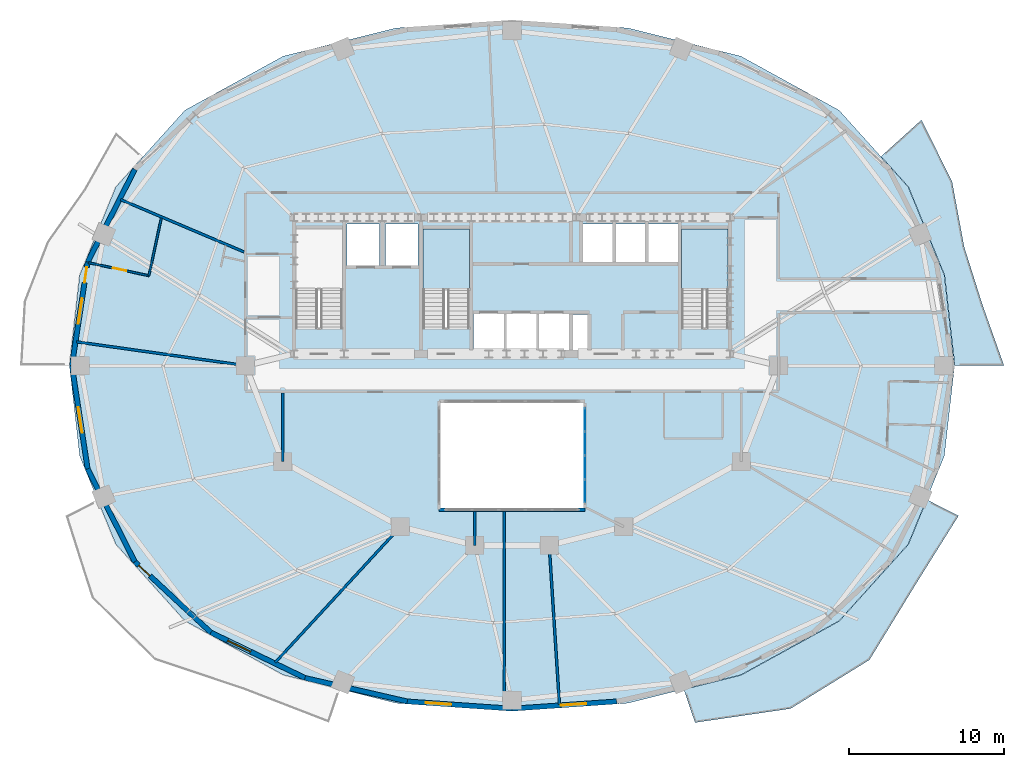
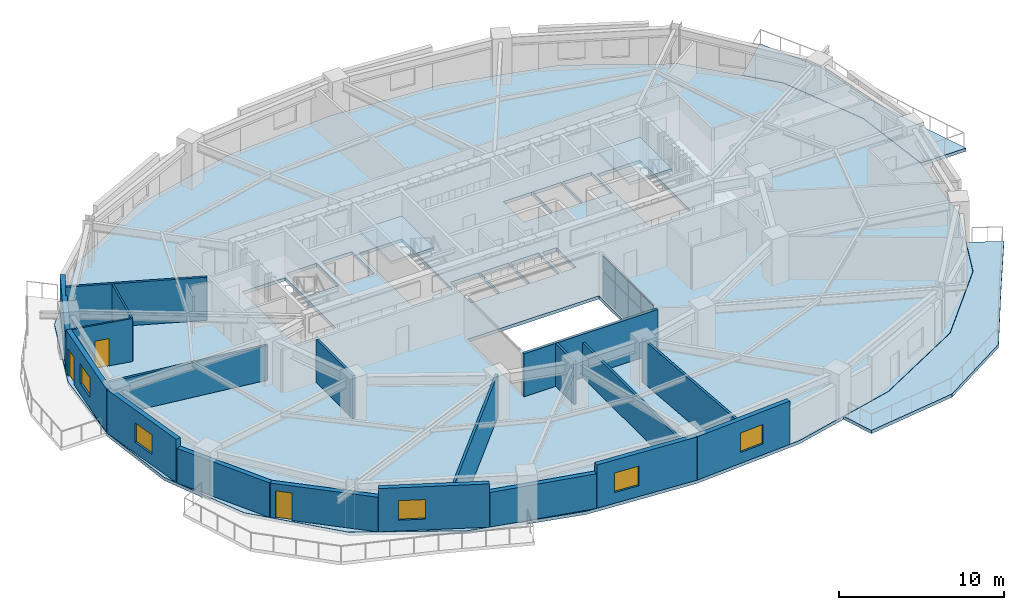
# One storey, part 6 of 13: 19 walls, 8 plates, 5 slabs, 5 windows, 3 doors, 8 openings, 3 elements without a shape of their own.
"""IFC4 building model written with IfcOpenShell, lengths in metres."""

from ifc_helpers import new_model, si_unit, direction, frame, frame_2d, origin, origin_2d, place, context, subcontext, project, spatial, polyline, rectangle, outline, extrude, material, layer, layer_set, type_object, element, fill, aggregate, save


model = new_model("IFC4")

# Units and contexts
model_context = context("Model", 3, precision=1e-05, world=origin(), true_north=direction((0.0, 1.0)))
body_context = subcontext(model_context, "Body", "Model", "MODEL_VIEW")
ifc_project = project(units=[si_unit("LENGTHUNIT", "METRE"), si_unit("AREAUNIT", "SQUARE_METRE"), si_unit("VOLUMEUNIT", "CUBIC_METRE"), si_unit("PLANEANGLEUNIT", "RADIAN"), si_unit("MASSUNIT", "GRAM", prefix="KILO")], contexts=[model_context])

# Site, building, storey
site_placement = place(None, origin())
site = spatial("IfcSite", under=ifc_project, at=site_placement, CompositionType="ELEMENT")
building_placement = place(site_placement, origin())
building = spatial("IfcBuilding", under=site, at=building_placement, Name="Haldorwick Loom Tower", CompositionType="ELEMENT")
storey_placement = place(building_placement, frame((0.0, 0.0, 120.800048828125)))
storey = spatial("IfcBuildingStorey", under=building, at=storey_placement, Name="L32", CompositionType="ELEMENT", Elevation=120.800048828125)

# Curtain wall, plates
ifc_material_1 = material(Name="Thermally Broken Anodized Aluminium Curtain Wall Framing", Category="aluminium")
curtain_wall_type = type_object("IfcCurtainWallType", Name="ARC-CW-03", PredefinedType="NOTDEFINED", material=ifc_material_1)
curtain_wall_placement = place(storey_placement, origin())
curtain_wall = element("IfcCurtainWall", 1, at=curtain_wall_placement, inside=storey, type_object=curtain_wall_type, Name="L32 Atrium Glazed Screen E", PredefinedType="NOTDEFINED")
ifc_material_2 = material(Name="Triple-Glazed Low-E Argon Insulated Glazing Unit", Category="glass")
ifc_layer_1 = layer(ifc_material_2, 0.04296875, Name="Triple-Glazed Low-E Argon Insulated Glazing Unit", Category="glass")
ifc_layer_set_1 = layer_set([ifc_layer_1], Name="Triple-Glazed Low-E Argon Insulated Glazing Unit")
plate_type = type_object("IfcPlateType", Name="ARC-CWP-03", PredefinedType="CURTAIN_PANEL", material=ifc_layer_set_1)
plate_1_placement = place(storey_placement, frame((40.699951171875, 22.508544921875, 0.06591796875), z_axis=(0.0, 0.0, 1.0), x_axis=(0.0, -1.0, 0.0)))
plate_1 = element("IfcPlate", 2, at=plate_1_placement, type_object=plate_type, Name="CW-03 panel 1.1", PredefinedType="CURTAIN_PANEL", context=body_context, shape_type="SweptSolid", body=[
    extrude(rectangle(XDim=1.450927734375, YDim=0.04296875, at=origin_2d()), origin(), (0.0, 0.0, 1.0), 1.90087890625),
])
plate_2_placement = place(storey_placement, frame((40.699951171875, 22.508544921875, 2.03271484375), z_axis=(0.0, 0.0, 1.0), x_axis=(0.0, -1.0, 0.0)))
plate_2 = element("IfcPlate", 3, at=plate_2_placement, type_object=plate_type, Name="CW-03 panel 1.2", PredefinedType="CURTAIN_PANEL", context=body_context, shape_type="SweptSolid", body=[
    extrude(rectangle(XDim=1.450927734375, YDim=0.04296875, at=origin_2d()), origin(), (0.0, 0.0, 1.0), 1.111083984375),
])
plate_3_placement = place(storey_placement, frame((40.699951171875, 20.97509765625, 0.06591796875), z_axis=(0.0, 0.0, 1.0), x_axis=(0.0, -1.0, 0.0)))
plate_3 = element("IfcPlate", 4, at=plate_3_placement, type_object=plate_type, Name="CW-03 panel 2.1", PredefinedType="CURTAIN_PANEL", context=body_context, shape_type="SweptSolid", body=[
    extrude(rectangle(XDim=1.48388671875, YDim=0.04296875, at=origin_2d()), origin(), (0.0, 0.0, 1.0), 1.90087890625),
])
plate_4_placement = place(storey_placement, frame((40.699951171875, 20.97509765625, 2.03271484375), z_axis=(0.0, 0.0, 1.0), x_axis=(0.0, -1.0, 0.0)))
plate_4 = element("IfcPlate", 5, at=plate_4_placement, type_object=plate_type, Name="CW-03 panel 2.2", PredefinedType="CURTAIN_PANEL", context=body_context, shape_type="SweptSolid", body=[
    extrude(rectangle(XDim=1.48388671875, YDim=0.04296875, at=origin_2d()), origin(), (0.0, 0.0, 1.0), 1.111083984375),
])
plate_5_placement = place(storey_placement, frame((40.699951171875, 19.425048828125, 0.06591796875), z_axis=(0.0, 0.0, 1.0), x_axis=(0.0, -1.0, 0.0)))
plate_5 = element("IfcPlate", 6, at=plate_5_placement, type_object=plate_type, Name="CW-03 panel 3.1", PredefinedType="CURTAIN_PANEL", context=body_context, shape_type="SweptSolid", body=[
    extrude(rectangle(XDim=1.48388671875, YDim=0.04296875, at=origin_2d()), origin(), (0.0, 0.0, 1.0), 1.90087890625),
])
plate_6_placement = place(storey_placement, frame((40.699951171875, 19.425048828125, 2.03271484375), z_axis=(0.0, 0.0, 1.0), x_axis=(0.0, -1.0, 0.0)))
plate_6 = element("IfcPlate", 7, at=plate_6_placement, type_object=plate_type, Name="CW-03 panel 3.2", PredefinedType="CURTAIN_PANEL", context=body_context, shape_type="SweptSolid", body=[
    extrude(rectangle(XDim=1.48388671875, YDim=0.04296875, at=origin_2d()), origin(), (0.0, 0.0, 1.0), 1.111083984375),
])
plate_7_placement = place(storey_placement, frame((40.699951171875, 17.8916015625, 0.06591796875), z_axis=(0.0, 0.0, 1.0), x_axis=(0.0, -1.0, 0.0)))
plate_7 = element("IfcPlate", 8, at=plate_7_placement, type_object=plate_type, Name="CW-03 panel 4.1", PredefinedType="CURTAIN_PANEL", context=body_context, shape_type="SweptSolid", body=[
    extrude(rectangle(XDim=1.450927734375, YDim=0.04296875, at=origin_2d()), origin(), (0.0, 0.0, 1.0), 1.90087890625),
])
plate_8_placement = place(storey_placement, frame((40.699951171875, 17.8916015625, 2.03271484375), z_axis=(0.0, 0.0, 1.0), x_axis=(0.0, -1.0, 0.0)))
plate_8 = element("IfcPlate", 9, at=plate_8_placement, type_object=plate_type, Name="CW-03 panel 4.2", PredefinedType="CURTAIN_PANEL", context=body_context, shape_type="SweptSolid", body=[
    extrude(rectangle(XDim=1.450927734375, YDim=0.04296875, at=origin_2d()), origin(), (0.0, 0.0, 1.0), 1.111083984375),
])
aggregate(curtain_wall, [plate_1, plate_2, plate_3, plate_4, plate_5, plate_6, plate_7, plate_8])

# Slabs
ifc_material_3 = material(Name="Concrete C40 (40 MPa)", Category="concrete")
ifc_layer_2 = layer(ifc_material_3, 0.239990234375, Name="Concrete C40 (40 MPa)", Category="concrete")
ifc_layer_set_2 = layer_set([ifc_layer_2], Name="Concrete C40 (40 MPa)")
slab_type_1 = type_object("IfcSlabType", Name="STR-SLB-BAL240", PredefinedType="FLOOR", material=ifc_layer_set_2)
slab_1_placement = place(storey_placement, frame((0.0, 0.0, -0.239990234375)))
element("IfcSlab", 10, at=slab_1_placement, inside=storey, type_object=slab_type_1, Name="L32 Sinusoidal Balcony Terrace BAL_SE", PredefinedType="FLOOR", context=body_context, shape_type="SweptSolid", body=[
    extrude(outline(polyline([(62.7587890625, 17.34912109375), (61.580078125, 14.468994140625), (61.579345703125, 14.4677734375), (61.578857421875, 14.466552734375), (61.578125, 14.465576171875), (61.5771484375, 14.464599609375), (57.11279296875, 9.51318359375), (57.11181640625, 9.51220703125), (57.1103515625, 9.510986328125), (57.10888671875, 9.51025390625), (50.767822265625, 6.0244140625), (50.7666015625, 6.023681640625), (50.765380859375, 6.023193359375), (50.76416015625, 6.022705078125), (47.08740234375, 5.105224609375), (47.81201171875, 2.964599609375), (53.978271484375, 3.8662109375), (59.06396484375, 7.01025390625), (62.07080078125, 11.92578125), (64.807373046875, 16.303955078125), (62.7587890625, 17.34912109375)])), origin(), (0.0, 0.0, 1.0), 0.239990234375),
])
slab_2_placement = place(storey_placement, frame((0.0, 0.0, -0.239990234375)))
element("IfcSlab", 11, at=slab_2_placement, inside=storey, type_object=slab_type_1, Name="L32 Sinusoidal Balcony Terrace BAL_ENE", PredefinedType="FLOOR", context=body_context, shape_type="SweptSolid", body=[
    extrude(outline(polyline([(59.81298828125, 39.491943359375), (61.5771484375, 37.535400390625), (61.578125, 37.534423828125), (61.578857421875, 37.533447265625), (61.579345703125, 37.5322265625), (61.580078125, 37.531005859375), (63.90869140625, 31.841796875), (63.9091796875, 31.840576171875), (63.909423828125, 31.83935546875), (63.90966796875, 31.837890625), (64.572509765625, 26.001708984375), (64.572509765625, 26.0), (67.74609375, 26.0), (66.357421875, 29.9150390625), (65.176025390625, 33.660888671875), (64.396728515625, 37.858642578125), (62.423095703125, 41.85400390625), (59.81298828125, 39.491943359375)])), origin(), (0.0, 0.0, 1.0), 0.239990234375),
])

# Stair, slab
stair_type = type_object("IfcStairType", Name="STR-STR-CORE", PredefinedType="HALF_TURN_STAIR", material=ifc_material_3)
stair_1_placement = place(storey_placement, origin())
stair_1 = element("IfcStair", 12, at=stair_1_placement, inside=storey, type_object=stair_type, Name="L32 Exit Stair ST-02", PredefinedType="HALF_TURN_STAIR")
ifc_layer_3 = layer(ifc_material_3, 0.199951171875, Name="Concrete C40 (40 MPa)", Category="concrete")
ifc_layer_set_3 = layer_set([ifc_layer_3], Name="Concrete C40 (40 MPa)")
slab_type_2 = type_object("IfcSlabType", Name="STR-SLB-LAND200", PredefinedType="LANDING", material=ifc_layer_set_3)
slab_3_placement = place(storey_placement, frame((0.0, 0.0, 1.52490234375)))
slab_3 = element("IfcSlab", 13, at=slab_3_placement, type_object=slab_type_2, Name="ST-02 landing 1", PredefinedType="LANDING", context=body_context, shape_type="SweptSolid", body=[
    extrude(outline(polyline([(49.949951171875, 30.919921875), (49.949951171875, 34.800048828125), (46.949951171875, 34.800048828125), (46.949951171875, 30.919921875), (49.949951171875, 30.919921875)])), origin(), (0.0, 0.0, 1.0), 0.199951171875),
])
aggregate(stair_1, [slab_3])

stair_2_placement = place(storey_placement, origin())
stair_2 = element("IfcStair", 14, at=stair_2_placement, inside=storey, type_object=stair_type, Name="L32 Exit Stair ST-03", PredefinedType="HALF_TURN_STAIR")
slab_4_placement = place(storey_placement, frame((0.0, 0.0, 1.52490234375)))
slab_4 = element("IfcSlab", 15, at=slab_4_placement, type_object=slab_type_2, Name="ST-03 landing 1", PredefinedType="LANDING", context=body_context, shape_type="SweptSolid", body=[
    extrude(outline(polyline([(33.25, 30.919921875), (33.25, 34.800048828125), (30.25, 34.800048828125), (30.25, 30.919921875), (33.25, 30.919921875)])), origin(), (0.0, 0.0, 1.0), 0.199951171875),
])
aggregate(stair_2, [slab_4])

# Slab
ifc_layer_4 = layer(ifc_material_3, 0.239990234375, Name="Concrete C40 (40 MPa)", Category="concrete")
ifc_layer_set_4 = layer_set([ifc_layer_4], Name="Concrete C40 (40 MPa)")
slab_type_3 = type_object("IfcSlabType", Name="STR-SLB-RES240", PredefinedType="FLOOR", material=ifc_layer_set_4)
slab_5_placement = place(storey_placement, frame((0.0, 0.0, -0.239990234375)))
element("IfcSlab", 16, at=slab_5_placement, inside=storey, type_object=slab_type_3, Name="L32 Residential Structural Floor Slab", PredefinedType="FLOOR", context=body_context, shape_type="SweptSolid", body=[
    extrude(outline(polyline([(57.101806640625, 9.523193359375), (61.566162109375, 14.474609375), (63.894775390625, 20.163818359375), (64.5576171875, 26.0), (63.894775390625, 31.836181640625), (61.566162109375, 37.525390625), (57.101806640625, 42.476806640625), (50.760498046875, 45.962646484375), (43.474365234375, 47.781005859375), (36.0, 48.29833984375), (28.525634765625, 47.781005859375), (21.239501953125, 45.962646484375), (14.898193359375, 42.476806640625), (10.433837890625, 37.525390625), (8.105224609375, 31.836181640625), (7.4423828125, 26.0), (8.105224609375, 20.163818359375), (10.433837890625, 14.474609375), (14.898193359375, 9.523193359375), (21.239501953125, 6.037353515625), (28.525634765625, 4.218994140625), (36.0, 3.70166015625), (43.474365234375, 4.218994140625), (50.760498046875, 6.037353515625), (57.101806640625, 9.523193359375)]), holes=[polyline([(31.39990234375, 16.800048828125), (31.39990234375, 23.60009765625), (40.60009765625, 23.60009765625), (40.60009765625, 16.800048828125), (31.39990234375, 16.800048828125)]), polyline([(33.5, 26.85009765625), (33.5, 29.35009765625), (35.5, 29.35009765625), (35.5, 26.85009765625), (33.5, 26.85009765625)]), polyline([(35.60009765625, 26.85009765625), (35.60009765625, 29.35009765625), (37.60009765625, 29.35009765625), (37.60009765625, 26.85009765625), (35.60009765625, 26.85009765625)]), polyline([(23.6201171875, 28.39990234375), (22.050048828125, 28.39990234375), (22.050048828125, 34.800048828125), (25.050048828125, 34.800048828125), (25.050048828125, 28.639892578125), (23.6201171875, 28.639892578125), (23.6201171875, 28.39990234375)]), polyline([(30.25, 28.39990234375), (30.25, 34.800048828125), (33.25, 34.800048828125), (33.25, 28.639892578125), (31.820068359375, 28.639892578125), (31.820068359375, 28.39990234375), (30.25, 28.39990234375)]), polyline([(25.35009765625, 32.449951171875), (25.35009765625, 35.14990234375), (27.449951171875, 35.14990234375), (27.449951171875, 32.449951171875), (25.35009765625, 32.449951171875)]), polyline([(29.949951171875, 32.449951171875), (27.85009765625, 32.449951171875), (27.85009765625, 35.14990234375), (29.949951171875, 35.14990234375), (29.949951171875, 32.449951171875)]), polyline([(37.699951171875, 26.85009765625), (37.699951171875, 29.35009765625), (39.699951171875, 29.35009765625), (39.699951171875, 26.85009765625), (37.699951171875, 26.85009765625)]), polyline([(39.89990234375, 26.89990234375), (39.89990234375, 29.300048828125), (40.89990234375, 29.300048828125), (40.89990234375, 26.89990234375), (39.89990234375, 26.89990234375)]), polyline([(46.949951171875, 28.39990234375), (46.949951171875, 34.800048828125), (49.949951171875, 34.800048828125), (49.949951171875, 28.639892578125), (48.52001953125, 28.639892578125), (48.52001953125, 28.39990234375), (46.949951171875, 28.39990234375)]), polyline([(40.550048828125, 32.64990234375), (40.550048828125, 35.14990234375), (42.550048828125, 35.14990234375), (42.550048828125, 32.64990234375), (40.550048828125, 32.64990234375)]), polyline([(42.64990234375, 32.64990234375), (42.64990234375, 35.14990234375), (44.64990234375, 35.14990234375), (44.64990234375, 32.64990234375), (42.64990234375, 32.64990234375)]), polyline([(44.75, 32.64990234375), (44.75, 35.14990234375), (46.75, 35.14990234375), (46.75, 32.64990234375), (44.75, 32.64990234375)])]), origin(), (0.0, 0.0, 1.0), 0.239990234375),
])

# Wall
ifc_material_4 = material(Name="Pressed Clay Face Brick and Insulated Masonry Backup Assembly", Category="masonry")
ifc_layer_5 = layer(ifc_material_4, 0.320068359375, Name="Pressed Clay Face Brick and Insulated Masonry Backup Assembly", Category="masonry")
ifc_layer_set_5 = layer_set([ifc_layer_5], Name="Pressed Clay Face Brick and Insulated Masonry Backup Assembly")
wall_type_1 = type_object("IfcWallType", Name="ARC-WL-EXT320", PredefinedType="STANDARD", material=ifc_layer_set_5)
wall_1_placement = place(storey_placement, frame((11.661376953125, 38.655517578125, 0.0), z_axis=(0.0, 0.0, 1.0), x_axis=(-0.453374078001, -0.89132033826, 0.0)))
element("IfcWall", 17, at=wall_1_placement, inside=storey, type_object=wall_type_1, Name="L32 Brick Pier and Spandrel Wall 11", PredefinedType="STANDARD", context=body_context, shape_type="SweptSolid", body=[
    extrude(rectangle(XDim=6.709716796875, YDim=0.320068359375, at=frame_2d((3.35498046875, 0.0))), origin(), (0.0, 0.0, 1.0), 2.56884765625),
])

# Wall, openings, door, window
wall_2_placement = place(storey_placement, frame((8.619384765625, 32.675048828125, 0.0), z_axis=(0.0, 0.0, 1.0), x_axis=(-0.150633288003, -0.988589708901, 0.0)))
wall_2 = element("IfcWall", 18, at=wall_2_placement, inside=storey, type_object=wall_type_1, Name="L32 Brick Pier and Spandrel Wall 12", PredefinedType="STANDARD", context=body_context, shape_type="SweptSolid", body=[
    extrude(rectangle(XDim=6.752197265625, YDim=0.320068359375, at=frame_2d((3.3759765625, 0.0))), origin(), (0.0, 0.0, 1.0), 3.2099609375),
])
opening_1_placement = place(wall_2_placement, frame((0.340087890625, 0.0, 0.0)))
opening_1 = element("IfcOpeningElement", 19, at=opening_1_placement, cuts=wall_2, Name="Opening D-BL10", PredefinedType="OPENING", context=body_context, shape_type="SweptSolid", body=[
    extrude(rectangle(XDim=1.0, YDim=2.0400390625, at=frame_2d((0.5, 1.02001953125))), frame((0.0, 0.169921875, 0.0), z_axis=(0.0, -1.0, 0.0), x_axis=(1.0, 0.0, 0.0)), (0.0, 0.0, 1.0), 0.340087890625),
])
opening_2_placement = place(wall_2_placement, frame((2.371826171875, 0.0, 0.800048828125)))
opening_2 = element("IfcOpeningElement", 20, at=opening_2_placement, cuts=wall_2, Name="Opening W-01B", PredefinedType="OPENING", context=body_context, shape_type="SweptSolid", body=[
    extrude(rectangle(XDim=1.64990234375, YDim=1.449951171875, at=frame_2d((0.824951171875, 0.72509765625))), frame((0.0, 0.169921875, 0.0), z_axis=(0.0, -1.0, 0.0), x_axis=(1.0, 0.0, 0.0)), (0.0, 0.0, 1.0), 0.340087890625),
])
door_type_1 = type_object("IfcDoorType", Name="ARC-DR-BAL100", OperationType="NOTDEFINED", PredefinedType="DOOR", material=ifc_material_1)
door_1_placement = place(opening_1_placement, origin())
door_1 = element("IfcDoor", 21, at=door_1_placement, inside=storey, type_object=door_type_1, Name="L32 Outdoor Terrace Door SLB-L32-BAL_WNW", OperationType="SINGLE_SWING_RIGHT", OverallHeight=2.0400390625, OverallWidth=1.0, PredefinedType="DOOR", context=body_context, shape_type="SweptSolid", body=[
    extrude(rectangle(XDim=1.0, YDim=2.0400390625, at=frame_2d((0.5, 1.02001953125))), frame((0.0, 0.02490234375, 0.0), z_axis=(0.0, -1.0, 0.0), x_axis=(1.0, 0.0, 0.0)), (0.0, 0.0, 1.0), 0.050048828125),
])
fill(opening_1, door_1)
window_type = type_object("IfcWindowType", Name="ARC-WIN-W165", PartitioningType="SINGLE_PANEL", PredefinedType="WINDOW", material=ifc_material_2)
window_1_placement = place(opening_2_placement, origin())
window_1 = element("IfcWindow", 22, at=window_1_placement, inside=storey, type_object=window_type, Name="L32 Deep-Set Zone 7A Window 12", OverallHeight=1.449951171875, OverallWidth=1.64990234375, PartitioningType="SINGLE_PANEL", PredefinedType="WINDOW", context=body_context, shape_type="SweptSolid", body=[
    extrude(rectangle(XDim=1.64990234375, YDim=1.449951171875, at=frame_2d((0.824951171875, 0.72509765625))), frame((0.0, 0.030029296875, 0.0), z_axis=(0.0, -1.0, 0.0), x_axis=(1.0, 0.0, 0.0)), (0.0, 0.0, 1.0), 0.06005859375),
])
fill(opening_2, window_1)

# Wall, opening, window
wall_3_placement = place(storey_placement, frame((7.602294921875, 26.0, 0.0), z_axis=(0.0, 0.0, 1.0), x_axis=(0.150633288003, -0.988589708901, 0.0)))
wall_3 = element("IfcWall", 23, at=wall_3_placement, inside=storey, type_object=wall_type_1, Name="L32 Brick Pier and Spandrel Wall 13", PredefinedType="STANDARD", context=body_context, shape_type="SweptSolid", body=[
    extrude(rectangle(XDim=6.752197265625, YDim=0.320068359375, at=frame_2d((3.3759765625, 0.0))), origin(), (0.0, 0.0, 1.0), 3.2099609375),
])
opening_3_placement = place(wall_3_placement, frame((2.730224609375, 0.0, 0.800048828125)))
opening_3 = element("IfcOpeningElement", 24, at=opening_3_placement, cuts=wall_3, Name="Opening W-01B", PredefinedType="OPENING", context=body_context, shape_type="SweptSolid", body=[
    extrude(rectangle(XDim=1.64990234375, YDim=1.449951171875, at=frame_2d((0.824951171875, 0.72509765625))), frame((0.0, 0.169921875, 0.0), z_axis=(0.0, -1.0, 0.0), x_axis=(1.0, 0.0, 0.0)), (0.0, 0.0, 1.0), 0.340087890625),
])
window_2_placement = place(opening_3_placement, origin())
window_2 = element("IfcWindow", 25, at=window_2_placement, inside=storey, type_object=window_type, Name="L32 Deep-Set Zone 7A Window 13", OverallHeight=1.449951171875, OverallWidth=1.64990234375, PartitioningType="SINGLE_PANEL", PredefinedType="WINDOW", context=body_context, shape_type="SweptSolid", body=[
    extrude(rectangle(XDim=1.64990234375, YDim=1.449951171875, at=frame_2d((0.824951171875, 0.72509765625))), frame((0.0, 0.030029296875, 0.0), z_axis=(0.0, -1.0, 0.0), x_axis=(1.0, 0.0, 0.0)), (0.0, 0.0, 1.0), 0.06005859375),
])
fill(opening_3, window_2)

# Wall
wall_4_placement = place(storey_placement, frame((8.619384765625, 19.324951171875, 0.0), z_axis=(0.0, 0.0, 1.0), x_axis=(0.453374078001, -0.89132033826, 0.0)))
element("IfcWall", 26, at=wall_4_placement, inside=storey, type_object=wall_type_1, Name="L32 Brick Pier and Spandrel Wall 14", PredefinedType="STANDARD", context=body_context, shape_type="SweptSolid", body=[
    extrude(rectangle(XDim=6.709716796875, YDim=0.320068359375, at=frame_2d((3.35498046875, 0.0))), origin(), (0.0, 0.0, 1.0), 2.56884765625),
])

# Wall, opening, door
wall_5_placement = place(storey_placement, frame((11.661376953125, 13.344482421875, 0.0), z_axis=(0.0, 0.0, 1.0), x_axis=(0.732137360086, -0.681157020052, 0.0)))
wall_5 = element("IfcWall", 27, at=wall_5_placement, inside=storey, type_object=wall_type_1, Name="L32 Brick Pier and Spandrel Wall 15", PredefinedType="STANDARD", context=body_context, shape_type="SweptSolid", body=[
    extrude(rectangle(XDim=6.709228515625, YDim=0.320068359375, at=frame_2d((3.3544921875, 0.0))), origin(), (0.0, 0.0, 1.0), 2.56884765625),
])
opening_4_placement = place(wall_5_placement, frame((0.340087890625, 0.0, 0.0)))
opening_4 = element("IfcOpeningElement", 28, at=opening_4_placement, cuts=wall_5, Name="Opening D-BL10", PredefinedType="OPENING", context=body_context, shape_type="SweptSolid", body=[
    extrude(rectangle(XDim=1.0, YDim=2.0400390625, at=frame_2d((0.5, 1.02001953125))), frame((0.0, 0.169921875, 0.0), z_axis=(0.0, -1.0, 0.0), x_axis=(1.0, 0.0, 0.0)), (0.0, 0.0, 1.0), 0.340087890625),
])
door_2_placement = place(opening_4_placement, origin())
door_2 = element("IfcDoor", 29, at=door_2_placement, inside=storey, type_object=door_type_1, Name="L32 Outdoor Terrace Door SLB-L32-BAL_SW", OperationType="SINGLE_SWING_LEFT", OverallHeight=2.0400390625, OverallWidth=1.0, PredefinedType="DOOR", context=body_context, shape_type="SweptSolid", body=[
    extrude(rectangle(XDim=1.0, YDim=2.0400390625, at=frame_2d((0.5, 1.02001953125))), frame((0.0, 0.02490234375, 0.0), z_axis=(0.0, -1.0, 0.0), x_axis=(1.0, 0.0, 0.0)), (0.0, 0.0, 1.0), 0.050048828125),
])
fill(opening_4, door_2)

# Wall, opening, window
wall_6_placement = place(storey_placement, frame((16.573486328125, 8.7744140625, 0.0), z_axis=(0.0, 0.0, 1.0), x_axis=(0.900510094661, -0.434835106004, 0.0)))
wall_6 = element("IfcWall", 30, at=wall_6_placement, inside=storey, type_object=wall_type_1, Name="L32 Brick Pier and Spandrel Wall 16", PredefinedType="STANDARD", context=body_context, shape_type="SweptSolid", body=[
    extrude(rectangle(XDim=6.744873046875, YDim=0.320068359375, at=frame_2d((3.37255859375, 0.0))), origin(), (0.0, 0.0, 1.0), 3.2099609375),
])
opening_5_placement = place(wall_6_placement, frame((1.198486328125, 0.0, 0.800048828125)))
opening_5 = element("IfcOpeningElement", 31, at=opening_5_placement, cuts=wall_6, Name="Opening W-01B", PredefinedType="OPENING", context=body_context, shape_type="SweptSolid", body=[
    extrude(rectangle(XDim=1.64990234375, YDim=1.449951171875, at=frame_2d((0.824951171875, 0.72509765625))), frame((0.0, 0.169921875, 0.0), z_axis=(0.0, -1.0, 0.0), x_axis=(1.0, 0.0, 0.0)), (0.0, 0.0, 1.0), 0.340087890625),
])
window_3_placement = place(opening_5_placement, origin())
window_3 = element("IfcWindow", 32, at=window_3_placement, inside=storey, type_object=window_type, Name="L32 Deep-Set Zone 7A Window 16", OverallHeight=1.449951171875, OverallWidth=1.64990234375, PartitioningType="SINGLE_PANEL", PredefinedType="WINDOW", context=body_context, shape_type="SweptSolid", body=[
    extrude(rectangle(XDim=1.64990234375, YDim=1.449951171875, at=frame_2d((0.824951171875, 0.72509765625))), frame((0.0, 0.030029296875, 0.0), z_axis=(0.0, -1.0, 0.0), x_axis=(1.0, 0.0, 0.0)), (0.0, 0.0, 1.0), 0.06005859375),
])
fill(opening_5, window_3)

# Wall
wall_7_placement = place(storey_placement, frame((22.647216796875, 5.841552734375, 0.0), z_axis=(0.0, 0.0, 1.0), x_axis=(0.974584177714, -0.224021607329, 0.0)))
element("IfcWall", 33, at=wall_7_placement, inside=storey, type_object=wall_type_1, Name="L32 Brick Pier and Spandrel Wall 17", PredefinedType="STANDARD", context=body_context, shape_type="SweptSolid", body=[
    extrude(rectangle(XDim=6.767822265625, YDim=0.320068359375, at=frame_2d((3.3837890625, 0.0))), origin(), (0.0, 0.0, 1.0), 2.56884765625),
])

# Wall, opening, window
wall_8_placement = place(storey_placement, frame((29.242919921875, 4.325439453125, 0.0), z_axis=(0.0, 0.0, 1.0), x_axis=(0.997651949344, -0.068487867318, 0.0)))
wall_8 = element("IfcWall", 34, at=wall_8_placement, inside=storey, type_object=wall_type_1, Name="L32 Brick Pier and Spandrel Wall 18", PredefinedType="STANDARD", context=body_context, shape_type="SweptSolid", body=[
    extrude(rectangle(XDim=6.77294921875, YDim=0.320068359375, at=frame_2d((3.386474609375, 0.0))), origin(), (0.0, 0.0, 1.0), 3.2099609375),
])
opening_6_placement = place(wall_8_placement, frame((1.206787109375, 0.0, 0.800048828125)))
opening_6 = element("IfcOpeningElement", 35, at=opening_6_placement, cuts=wall_8, Name="Opening W-01B", PredefinedType="OPENING", context=body_context, shape_type="SweptSolid", body=[
    extrude(rectangle(XDim=1.64990234375, YDim=1.449951171875, at=frame_2d((0.824951171875, 0.72509765625))), frame((0.0, 0.169921875, 0.0), z_axis=(0.0, -1.0, 0.0), x_axis=(1.0, 0.0, 0.0)), (0.0, 0.0, 1.0), 0.340087890625),
])
window_4_placement = place(opening_6_placement, origin())
window_4 = element("IfcWindow", 36, at=window_4_placement, inside=storey, type_object=window_type, Name="L32 Deep-Set Zone 7A Window 18", OverallHeight=1.449951171875, OverallWidth=1.64990234375, PartitioningType="SINGLE_PANEL", PredefinedType="WINDOW", context=body_context, shape_type="SweptSolid", body=[
    extrude(rectangle(XDim=1.64990234375, YDim=1.449951171875, at=frame_2d((0.824951171875, 0.72509765625))), frame((0.0, 0.030029296875, 0.0), z_axis=(0.0, -1.0, 0.0), x_axis=(1.0, 0.0, 0.0)), (0.0, 0.0, 1.0), 0.06005859375),
])
fill(opening_6, window_4)

wall_9_placement = place(storey_placement, frame((36.0, 3.861572265625, 0.0), z_axis=(0.0, 0.0, 1.0), x_axis=(0.997651949344, 0.068487867318, 0.0)))
wall_9 = element("IfcWall", 37, at=wall_9_placement, inside=storey, type_object=wall_type_1, Name="L32 Brick Pier and Spandrel Wall 19", PredefinedType="STANDARD", context=body_context, shape_type="SweptSolid", body=[
    extrude(rectangle(XDim=6.77294921875, YDim=0.320068359375, at=frame_2d((3.386474609375, 0.0))), origin(), (0.0, 0.0, 1.0), 3.2099609375),
])
opening_7_placement = place(wall_9_placement, frame((3.161865234375, 0.0, 0.800048828125)))
opening_7 = element("IfcOpeningElement", 38, at=opening_7_placement, cuts=wall_9, Name="Opening W-01B", PredefinedType="OPENING", context=body_context, shape_type="SweptSolid", body=[
    extrude(rectangle(XDim=1.64990234375, YDim=1.449951171875, at=frame_2d((0.824951171875, 0.72509765625))), frame((0.0, 0.169921875, 0.0), z_axis=(0.0, -1.0, 0.0), x_axis=(1.0, 0.0, 0.0)), (0.0, 0.0, 1.0), 0.340087890625),
])
window_5_placement = place(opening_7_placement, origin())
window_5 = element("IfcWindow", 39, at=window_5_placement, inside=storey, type_object=window_type, Name="L32 Deep-Set Zone 7A Window 19", OverallHeight=1.449951171875, OverallWidth=1.64990234375, PartitioningType="SINGLE_PANEL", PredefinedType="WINDOW", context=body_context, shape_type="SweptSolid", body=[
    extrude(rectangle(XDim=1.64990234375, YDim=1.449951171875, at=frame_2d((0.824951171875, 0.72509765625))), frame((0.0, 0.030029296875, 0.0), z_axis=(0.0, -1.0, 0.0), x_axis=(1.0, 0.0, 0.0)), (0.0, 0.0, 1.0), 0.06005859375),
])
fill(opening_7, window_5)

# Walls
ifc_material_5 = material(Name="Fire-Rated Type X Gypsum Stud Assembly EI 60")
ifc_layer_6 = layer(ifc_material_5, 0.159912109375, Name="Fire-Rated Type X Gypsum Stud Assembly EI 60")
ifc_layer_set_6 = layer_set([ifc_layer_6], Name="Fire-Rated Type X Gypsum Stud Assembly EI 60")
wall_type_2 = type_object("IfcWallType", Name="ARC-WL-FIRE160", PredefinedType="PARTITIONING", material=ifc_layer_set_6)
wall_10_placement = place(storey_placement, frame((38.39990234375, 14.39990234375, 0.0), z_axis=(0.0, 0.0, 1.0), x_axis=(0.06435711191, -0.997926932268, 0.0)))
element("IfcWall", 40, at=wall_10_placement, inside=storey, type_object=wall_type_2, Name="L32 Residential Fire Partition L32-ICR-05", PredefinedType="PARTITIONING", context=body_context, shape_type="SweptSolid", body=[
    extrude(rectangle(XDim=10.2841796875, YDim=0.159912109375, at=frame_2d((5.14208984375, 0.0))), origin(), (0.0, 0.0, 1.0), 3.195068359375),
])
wall_11_placement = place(storey_placement, frame((28.800048828125, 15.60009765625, 0.0), z_axis=(0.0, 0.0, 1.0), x_axis=(-0.678102201448, -0.734967621321, 0.0)))
element("IfcWall", 41, at=wall_11_placement, inside=storey, type_object=wall_type_2, Name="L32 Residential Fire Partition L32-ICR-08", PredefinedType="PARTITIONING", context=body_context, shape_type="SweptSolid", body=[
    extrude(rectangle(XDim=11.913818359375, YDim=0.159912109375, at=frame_2d((5.95703125, 0.0))), origin(), (0.0, 0.0, 1.0), 3.195068359375),
])
wall_12_placement = place(storey_placement, frame((18.717041015625, 26.01171875, 0.0), z_axis=(0.0, 0.0, 1.0), x_axis=(-0.99026794236, 0.139174000206, 0.0)))
element("IfcWall", 42, at=wall_12_placement, inside=storey, type_object=wall_type_2, Name="L32 Residential Fire Partition L32-ICR-10", PredefinedType="PARTITIONING", context=body_context, shape_type="SweptSolid", body=[
    extrude(rectangle(XDim=10.921630859375, YDim=0.159912109375, at=frame_2d((5.4609375, 0.0))), origin(), (0.0, 0.0, 1.0), 2.56787109375),
])
wall_13_placement = place(storey_placement, frame((35.5, 3.961181640625, 0.0), z_axis=(0.0, 0.0, 1.0), x_axis=(0.0, 1.0, 0.0)))
element("IfcWall", 43, at=wall_13_placement, inside=storey, type_object=wall_type_2, Name="L32 Residential Fire Partition L32-SBP-0", PredefinedType="PARTITIONING", context=body_context, shape_type="SweptSolid", body=[
    extrude(rectangle(XDim=12.6357421875, YDim=0.159912109375, at=frame_2d((6.31787109375, 0.0))), origin(), (0.0, 0.0, 1.0), 2.56787109375),
])
wall_14_placement = place(storey_placement, frame((33.60009765625, 16.596923828125, 0.0), z_axis=(0.0, 0.0, 1.0), x_axis=(0.0, -1.0, 0.0)))
element("IfcWall", 44, at=wall_14_placement, inside=storey, type_object=wall_type_2, Name="L32 Residential Fire Partition L32-ICA-06", PredefinedType="PARTITIONING", context=body_context, shape_type="SweptSolid", body=[
    extrude(rectangle(XDim=2.197021484375, YDim=0.159912109375, at=frame_2d((1.0986328125, 0.0))), origin(), (0.0, 0.0, 1.0), 3.195068359375),
])
wall_15_placement = place(storey_placement, frame((21.199951171875, 24.217041015625, 0.0), z_axis=(0.0, 0.0, 1.0), x_axis=(0.0, -1.0, 0.0)))
element("IfcWall", 45, at=wall_15_placement, inside=storey, type_object=wall_type_2, Name="L32 Residential Fire Partition L32-ICA-09", PredefinedType="PARTITIONING", context=body_context, shape_type="SweptSolid", body=[
    extrude(rectangle(XDim=4.4169921875, YDim=0.159912109375, at=frame_2d((2.20849609375, 0.0))), origin(), (0.0, 0.0, 1.0), 3.195068359375),
])
wall_16_placement = place(storey_placement, frame((18.717041015625, 33.330078125, 0.0), z_axis=(0.0, 0.0, 1.0), x_axis=(-0.920630308553, 0.390435442772, 0.0)))
element("IfcWall", 46, at=wall_16_placement, inside=storey, type_object=wall_type_2, Name="L32 Suite Split Wall", PredefinedType="PARTITIONING", context=body_context, shape_type="SweptSolid", body=[
    extrude(rectangle(XDim=8.6591796875, YDim=0.159912109375, at=frame_2d((4.32958984375, 0.0))), origin(), (0.0, 0.0, 1.0), 3.195068359375),
])
ifc_material_6 = material(Name="Fire-Rated Type X Gypsum Stud Assembly EI 120")
ifc_layer_7 = layer(ifc_material_6, 0.199951171875, Name="Fire-Rated Type X Gypsum Stud Assembly EI 120")
ifc_layer_set_7 = layer_set([ifc_layer_7], Name="Fire-Rated Type X Gypsum Stud Assembly EI 120")
wall_type_3 = type_object("IfcWallType", Name="ARC-WL-FIRE200", PredefinedType="PARTITIONING", material=ifc_layer_set_7)
wall_17_placement = place(storey_placement, frame((40.699951171875, 16.699951171875, 0.0), z_axis=(0.0, 0.0, 1.0), x_axis=(-1.0, 0.0, 0.0)))
element("IfcWall", 47, at=wall_17_placement, inside=storey, type_object=wall_type_3, Name="L32 Atrium Fire Enclosure Wall S", PredefinedType="PARTITIONING", context=body_context, shape_type="SweptSolid", body=[
    extrude(rectangle(XDim=9.39990234375, YDim=0.199951171875, at=frame_2d((4.699951171875, 0.0))), origin(), (0.0, 0.0, 1.0), 3.195068359375),
])
ifc_material_7 = material(Name="Acoustic Gypsum Stud Assembly STC 55")
ifc_layer_8 = layer(ifc_material_7, 0.1201171875, Name="Acoustic Gypsum Stud Assembly STC 55")
ifc_layer_set_8 = layer_set([ifc_layer_8], Name="Acoustic Gypsum Stud Assembly STC 55")
wall_type_4 = type_object("IfcWallType", Name="ARC-WL-PART120", PredefinedType="PARTITIONING", material=ifc_layer_set_8)
wall_18_placement = place(storey_placement, frame((13.371337890625, 35.507080078125, 0.0), z_axis=(0.0, 0.0, 1.0), x_axis=(-0.211272992451, -0.977427093271, 0.0)))
element("IfcWall", 48, at=wall_18_placement, inside=storey, type_object=wall_type_4, Name="L32 Unit 32B Interior Partition", PredefinedType="PARTITIONING", context=body_context, shape_type="SweptSolid", body=[
    extrude(rectangle(XDim=3.794921875, YDim=0.1201171875, at=frame_2d((1.8974609375, 0.0))), origin(), (0.0, 0.0, 1.0), 3.195068359375),
])

# Wall, opening, door
wall_19_placement = place(storey_placement, frame((12.569580078125, 31.7978515625, 0.0), z_axis=(0.0, 0.0, 1.0), x_axis=(-0.977413822967, 0.211334376459, 0.0)))
wall_19 = element("IfcWall", 49, at=wall_19_placement, inside=storey, type_object=wall_type_4, Name="L32 Unit 32B Interior Partition", PredefinedType="PARTITIONING", context=body_context, shape_type="SweptSolid", body=[
    extrude(rectangle(XDim=3.979736328125, YDim=0.1201171875, at=frame_2d((1.98974609375, 0.0))), origin(), (0.0, 0.0, 1.0), 3.195068359375),
])
opening_8_placement = place(wall_19_placement, frame((1.4892578125, 0.0, 0.0)))
opening_8 = element("IfcOpeningElement", 50, at=opening_8_placement, cuts=wall_19, Name="Opening D-BT88", PredefinedType="OPENING", context=body_context, shape_type="SweptSolid", body=[
    extrude(rectangle(XDim=0.8798828125, YDim=2.02001953125, at=frame_2d((0.43994140625, 1.010009765625))), frame((0.0, 0.070068359375, 0.0), z_axis=(0.0, -1.0, 0.0), x_axis=(1.0, 0.0, 0.0)), (0.0, 0.0, 1.0), 0.14013671875),
])
ifc_material_8 = material(Name="Solid Core Birch Architectural Door")
door_type_2 = type_object("IfcDoorType", Name="ARC-DR-BATH88", OperationType="NOTDEFINED", PredefinedType="DOOR", material=ifc_material_8)
door_3_placement = place(opening_8_placement, origin())
door_3 = element("IfcDoor", 51, at=door_3_placement, inside=storey, type_object=door_type_2, Name="L32 Unit 32B Kitchen and Studio Living Room to Unit 32B Bathroom Door", OperationType="SINGLE_SWING_RIGHT", OverallHeight=2.02001953125, OverallWidth=0.8798828125, PredefinedType="DOOR", context=body_context, shape_type="SweptSolid", body=[
    extrude(rectangle(XDim=0.8798828125, YDim=2.02001953125, at=frame_2d((0.43994140625, 1.010009765625))), frame((0.0, 0.02490234375, 0.0), z_axis=(0.0, -1.0, 0.0), x_axis=(1.0, 0.0, 0.0)), (0.0, 0.0, 1.0), 0.050048828125),
])
fill(opening_8, door_3)

save(model, "model.ifc")
